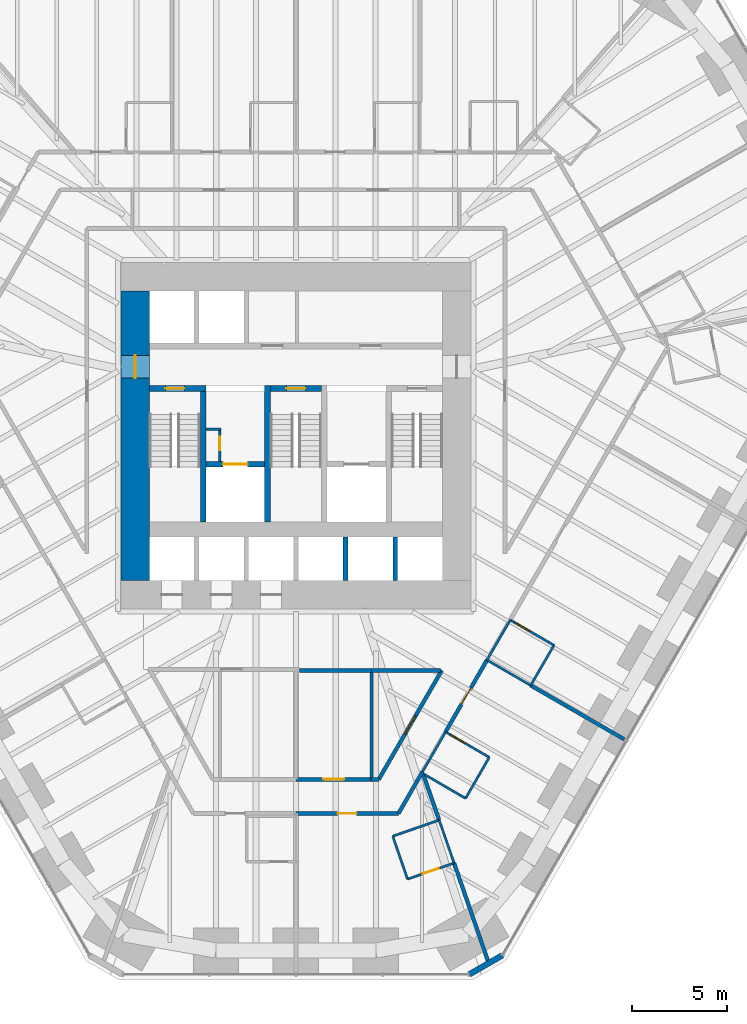
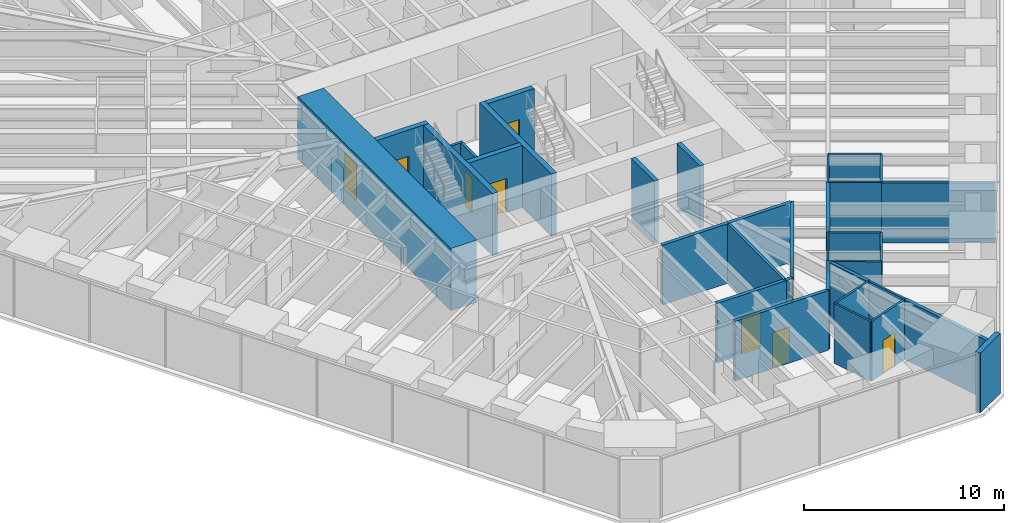
# One storey, part 12 of 17: 35 walls, 12 doors, 12 openings.
"""IFC4 building model written with IfcOpenShell, lengths in metres."""

from ifc_helpers import new_model, si_unit, direction, frame, frame_2d, origin, place, context, subcontext, project, spatial, rectangle, extrude, material, layer, layer_set, type_object, element, fill, save


model = new_model("IFC4")

# Units and contexts
model_context = context("Model", 3, precision=1e-05, world=origin(), true_north=direction((0.0, 1.0)))
body_context = subcontext(model_context, "Body", "Model", "MODEL_VIEW")
ifc_project = project(units=[si_unit("LENGTHUNIT", "METRE"), si_unit("AREAUNIT", "SQUARE_METRE"), si_unit("VOLUMEUNIT", "CUBIC_METRE"), si_unit("PLANEANGLEUNIT", "RADIAN"), si_unit("MASSUNIT", "GRAM", prefix="KILO")], contexts=[model_context])

# Site, building, storey
site_placement = place(None, origin())
site = spatial("IfcSite", under=ifc_project, at=site_placement, CompositionType="ELEMENT")
building_placement = place(site_placement, origin())
building = spatial("IfcBuilding", under=site, at=building_placement, Name="Sandreach Pilgrim Tower", CompositionType="ELEMENT")
storey_placement = place(building_placement, frame((0.0, 0.0, 45.800048828125)))
storey = spatial("IfcBuildingStorey", under=building, at=storey_placement, Name="L10", CompositionType="ELEMENT", Elevation=45.800048828125)

# Walls
ifc_material_1 = material(Name="Gypsum board on steel studs", Category="steel")
ifc_layer_1 = layer(ifc_material_1, 0.14990234375)
ifc_layer_set_1 = layer_set([ifc_layer_1], Name="Back of house wall 150")
wall_type_1 = type_object("IfcWallType", Name="Back of house wall 150", PredefinedType="PARTITIONING", material=ifc_layer_set_1)
wall_1_placement = place(storey_placement, frame((4.0, -13.949951171875, 0.0), z_axis=(0.0, 0.0, 1.0), x_axis=(0.0, -1.0, 0.0)))
element("IfcWall", 1, at=wall_1_placement, inside=storey, type_object=wall_type_1, Name="Back of house wall L10-073", PredefinedType="PARTITIONING", context=body_context, shape_type="SweptSolid", body=[
    extrude(rectangle(XDim=5.760009765625, YDim=0.14990234375, at=frame_2d((2.8798828125, 0.0))), origin(), (0.0, 0.0, 1.0), 3.639892578125),
])
ifc_material_2 = material(Name="Moisture-resistant gypsum board on steel studs", Category="steel")
ifc_layer_2 = layer(ifc_material_2, 0.1201171875)
ifc_layer_set_2 = layer_set([ifc_layer_2], Name="Bathroom partition 120")
wall_type_2 = type_object("IfcWallType", Name="Bathroom partition 120", PredefinedType="PARTITIONING", material=ifc_layer_set_2)
wall_2_placement = place(storey_placement, frame((5.1201171875, -22.7099609375, 0.0), z_axis=(0.0, 0.0, 1.0), x_axis=(0.324880771143, -0.945754981241, 0.0)))
element("IfcWall", 2, at=wall_2_placement, inside=storey, type_object=wall_type_2, Name="Bathroom partition L10-078", PredefinedType="PARTITIONING", context=body_context, shape_type="SweptSolid", body=[
    extrude(rectangle(XDim=2.400146484375, YDim=0.1201171875, at=frame_2d((1.2001953125, 0.0))), origin(), (0.0, 0.0, 1.0), 3.639892578125),
])

# Wall, opening, door
wall_3_placement = place(storey_placement, frame((5.89990234375, -24.97998046875, 0.0), z_axis=(0.0, 0.0, 1.0), x_axis=(0.945165466094, 0.326591857987, 0.0)))
wall_3 = element("IfcWall", 3, at=wall_3_placement, inside=storey, type_object=wall_type_2, Name="Bathroom partition L10-080", PredefinedType="PARTITIONING", context=body_context, shape_type="SweptSolid", body=[
    extrude(rectangle(XDim=2.60302734375, YDim=0.1201171875, at=frame_2d((1.301513671875, 0.0))), origin(), (0.0, 0.0, 1.0), 3.639892578125),
])
opening_1_placement = place(wall_3_placement, frame((0.85009765625, 0.0, 0.0)))
opening_1 = element("IfcOpeningElement", 4, at=opening_1_placement, cuts=wall_3, Name="Opening D09-10B", PredefinedType="OPENING", context=body_context, shape_type="SweptSolid", body=[
    extrude(rectangle(XDim=0.89990234375, YDim=2.030029296875, at=frame_2d((0.449951171875, 1.01513671875))), frame((0.0, 0.06005859375, 0.0), z_axis=(0.0, -1.0, 0.0), x_axis=(1.0, 0.0, 0.0)), (0.0, 0.0, 1.0), 0.1201171875),
])
ifc_material_3 = material(Name="Timber door, steel frame", Category="steel")
door_type_1 = type_object("IfcDoorType", Name="Bathroom door", OperationType="SINGLE_SWING_LEFT", PredefinedType="DOOR", material=ifc_material_3)
door_1_placement = place(opening_1_placement, origin())
door_1 = element("IfcDoor", 5, at=door_1_placement, inside=storey, type_object=door_type_1, Name="Door 1010B", OperationType="SINGLE_SWING_LEFT", OverallHeight=2.030029296875, OverallWidth=0.89990234375, PredefinedType="DOOR", context=body_context, shape_type="SweptSolid", body=[
    extrude(rectangle(XDim=0.89990234375, YDim=2.030029296875, at=frame_2d((0.449951171875, 1.01513671875))), frame((0.0, 0.02490234375, 0.0), z_axis=(0.0, -1.0, 0.0), x_axis=(1.0, 0.0, 0.0)), (0.0, 0.0, 1.0), 0.050048828125),
])
fill(opening_1, door_1)

# Walls
wall_4_placement = place(storey_placement, frame((6.68994140625, -19.31005859375, 0.0), z_axis=(0.0, 0.0, 1.0), x_axis=(0.500522890398, 0.865723302324, 0.0)))
element("IfcWall", 6, at=wall_4_placement, inside=storey, type_object=wall_type_2, Name="Bathroom partition L10-085", PredefinedType="PARTITIONING", context=body_context, shape_type="SweptSolid", body=[
    extrude(rectangle(XDim=2.4375, YDim=0.1201171875, at=frame_2d((1.21875, 0.0))), origin(), (0.0, 0.0, 1.0), 3.639892578125),
])
wall_5_placement = place(storey_placement, frame((6.807861328125, -19.455078125, 0.0), z_axis=(0.0, 0.0, 1.0), x_axis=(0.864881956308, -0.501975299844, 0.0)))
element("IfcWall", 7, at=wall_5_placement, inside=storey, type_object=wall_type_2, Name="Bathroom partition L10-086", PredefinedType="PARTITIONING", context=body_context, shape_type="SweptSolid", body=[
    extrude(rectangle(XDim=2.5, YDim=0.1201171875, at=frame_2d((1.25, 0.0))), origin(), (0.0, 0.0, 1.0), 3.639892578125),
])
wall_6_placement = place(storey_placement, frame((7.570068359375, -21.860107421875, 0.0), z_axis=(0.0, 0.0, 1.0), x_axis=(-0.944782191137, -0.327698964463, 0.0)))
element("IfcWall", 8, at=wall_6_placement, inside=storey, type_object=wall_type_2, Name="Bathroom partition L10-087", PredefinedType="PARTITIONING", context=body_context, shape_type="SweptSolid", body=[
    extrude(rectangle(XDim=2.593505859375, YDim=0.1201171875, at=frame_2d((1.296875, 0.0))), origin(), (0.0, 0.0, 1.0), 3.639892578125),
])
wall_7_placement = place(storey_placement, frame((7.570068359375, -21.860107421875, 0.0), z_axis=(0.0, 0.0, 1.0), x_axis=(0.328725498061, -0.944425511581, 0.0)))
element("IfcWall", 9, at=wall_7_placement, inside=storey, type_object=wall_type_2, Name="Bathroom partition L10-089", PredefinedType="PARTITIONING", context=body_context, shape_type="SweptSolid", body=[
    extrude(rectangle(XDim=2.4033203125, YDim=0.1201171875, at=frame_2d((1.20166015625, 0.0))), origin(), (0.0, 0.0, 1.0), 3.639892578125),
])
wall_8_placement = place(storey_placement, frame((8.969970703125, -20.7099609375, 0.0), z_axis=(0.0, 0.0, 1.0), x_axis=(0.499159685399, 0.866510016372, 0.0)))
element("IfcWall", 10, at=wall_8_placement, inside=storey, type_object=wall_type_2, Name="Bathroom partition L10-096", PredefinedType="PARTITIONING", context=body_context, shape_type="SweptSolid", body=[
    extrude(rectangle(XDim=2.504150390625, YDim=0.1201171875, at=frame_2d((1.251953125, 0.0))), origin(), (0.0, 0.0, 1.0), 3.639892578125),
])
wall_9_placement = place(storey_placement, frame((10.10009765625, -13.39990234375, 0.0), z_axis=(0.0, 0.0, 1.0), x_axis=(0.501856726365, 0.86495076519, 0.0)))
element("IfcWall", 11, at=wall_9_placement, inside=storey, type_object=wall_type_2, Name="Bathroom partition L10-099", PredefinedType="PARTITIONING", context=body_context, shape_type="SweptSolid", body=[
    extrude(rectangle(XDim=2.450927734375, YDim=0.1201171875, at=frame_2d((1.2255859375, 0.0))), origin(), (0.0, 0.0, 1.0), 3.639892578125),
])
wall_10_placement = place(storey_placement, frame((10.10009765625, -13.39990234375, 0.0), z_axis=(0.0, 0.0, 1.0), x_axis=(0.864966903181, -0.501828911485, 0.0)))
element("IfcWall", 12, at=wall_10_placement, inside=storey, type_object=wall_type_2, Name="Bathroom partition L10-100", PredefinedType="PARTITIONING", context=body_context, shape_type="SweptSolid", body=[
    extrude(rectangle(XDim=2.67041015625, YDim=0.1201171875, at=frame_2d((1.335205078125, 0.0))), origin(), (0.0, 0.0, 1.0), 3.639892578125),
])

# Wall, opening, door
wall_11_placement = place(storey_placement, frame((10.219970703125, -18.5400390625, 0.0), z_axis=(0.0, 0.0, 1.0), x_axis=(-0.86498992408, 0.501789229896, 0.0)))
wall_11 = element("IfcWall", 13, at=wall_11_placement, inside=storey, type_object=wall_type_2, Name="Bathroom partition L10-101", PredefinedType="PARTITIONING", context=body_context, shape_type="SweptSolid", body=[
    extrude(rectangle(XDim=2.670654296875, YDim=0.1201171875, at=frame_2d((1.33544921875, 0.0))), origin(), (0.0, 0.0, 1.0), 3.639892578125),
])
opening_2_placement = place(wall_11_placement, frame((1.470458984375, 0.0, 0.0)))
opening_2 = element("IfcOpeningElement", 14, at=opening_2_placement, cuts=wall_11, Name="Opening D09-09B", PredefinedType="OPENING", context=body_context, shape_type="SweptSolid", body=[
    extrude(rectangle(XDim=0.89990234375, YDim=2.030029296875, at=frame_2d((0.449951171875, 1.01513671875))), frame((0.0, 0.06005859375, 0.0), z_axis=(0.0, -1.0, 0.0), x_axis=(1.0, 0.0, 0.0)), (0.0, 0.0, 1.0), 0.1201171875),
])
door_2_placement = place(opening_2_placement, origin())
door_2 = element("IfcDoor", 15, at=door_2_placement, inside=storey, type_object=door_type_1, Name="Door 1009B", OperationType="SINGLE_SWING_RIGHT", OverallHeight=2.030029296875, OverallWidth=0.89990234375, PredefinedType="DOOR", context=body_context, shape_type="SweptSolid", body=[
    extrude(rectangle(XDim=0.89990234375, YDim=2.030029296875, at=frame_2d((0.449951171875, 1.01513671875))), frame((0.0, 0.02490234375, 0.0), z_axis=(0.0, -1.0, 0.0), x_axis=(1.0, 0.0, 0.0)), (0.0, 0.0, 1.0), 0.050048828125),
])
fill(opening_2, door_2)

# Wall
wall_12_placement = place(storey_placement, frame((12.409912109375, -14.739990234375, 0.0), z_axis=(0.0, 0.0, 1.0), x_axis=(0.501813488763, 0.864975850817, 0.0)))
element("IfcWall", 16, at=wall_12_placement, inside=storey, type_object=wall_type_2, Name="Bathroom partition L10-109", PredefinedType="PARTITIONING", context=body_context, shape_type="SweptSolid", body=[
    extrude(rectangle(XDim=2.451171875, YDim=0.1201171875, at=frame_2d((1.2255859375, 0.0))), origin(), (0.0, 0.0, 1.0), 3.639892578125),
])

# Wall, opening, door
wall_13_placement = place(storey_placement, frame((13.639892578125, -12.6201171875, 0.0), z_axis=(0.0, 0.0, 1.0), x_axis=(-0.864966903181, 0.501828911485, 0.0)))
wall_13 = element("IfcWall", 17, at=wall_13_placement, inside=storey, type_object=wall_type_2, Name="Bathroom partition L10-114", PredefinedType="PARTITIONING", context=body_context, shape_type="SweptSolid", body=[
    extrude(rectangle(XDim=2.67041015625, YDim=0.1201171875, at=frame_2d((1.335205078125, 0.0))), origin(), (0.0, 0.0, 1.0), 3.639892578125),
])
opening_3_placement = place(wall_13_placement, frame((1.470458984375, 0.0, 0.0)))
opening_3 = element("IfcOpeningElement", 18, at=opening_3_placement, cuts=wall_13, Name="Opening D09-08B", PredefinedType="OPENING", context=body_context, shape_type="SweptSolid", body=[
    extrude(rectangle(XDim=0.89990234375, YDim=2.030029296875, at=frame_2d((0.449951171875, 1.01513671875))), frame((0.0, 0.06005859375, 0.0), z_axis=(0.0, -1.0, 0.0), x_axis=(1.0, 0.0, 0.0)), (0.0, 0.0, 1.0), 0.1201171875),
])
door_3_placement = place(opening_3_placement, origin())
door_3 = element("IfcDoor", 19, at=door_3_placement, inside=storey, type_object=door_type_1, Name="Door 1008B", OperationType="SINGLE_SWING_RIGHT", OverallHeight=2.030029296875, OverallWidth=0.89990234375, PredefinedType="DOOR", context=body_context, shape_type="SweptSolid", body=[
    extrude(rectangle(XDim=0.89990234375, YDim=2.030029296875, at=frame_2d((0.449951171875, 1.01513671875))), frame((0.0, 0.02490234375, 0.0), z_axis=(0.0, -1.0, 0.0), x_axis=(1.0, 0.0, 0.0)), (0.0, 0.0, 1.0), 0.050048828125),
])
fill(opening_3, door_3)

# Walls
ifc_material_4 = material(Name="Concrete 10000 psi", Category="concrete")
ifc_layer_3 = layer(ifc_material_4, 0.300048828125)
ifc_layer_set_3 = layer_set([ifc_layer_3], Name="Core inner wall 300")
wall_type_3 = type_object("IfcWallType", Name="Core inner wall 300", PredefinedType="SHEAR", material=ifc_layer_set_3)
for number, where, z_axis, x_axis, name in (
    (20, (-4.89990234375, -6.10009765625, 0.0), (0.0, 0.0, 1.0), (0.0, 1.0, 0.0), "Core wall I0 L10"),
    (21, (-1.5, -6.10009765625, 0.0), (0.0, 0.0, 1.0), (0.0, 1.0, 0.0), "Core wall I1 L10"),
):
    element("IfcWall", number, at=place(storey_placement, frame(where, z_axis=z_axis, x_axis=x_axis)), inside=storey, type_object=wall_type_3, Name=name, PredefinedType="SHEAR", context=body_context, shape_type="SweptSolid", body=[
        extrude(rectangle(XDim=7.2001953125, YDim=0.300048828125, at=frame_2d((3.60009765625, 0.0))), origin(), (0.0, 0.0, 1.0), 3.800048828125),
    ])

# Wall, opening, door
wall_14_placement = place(storey_placement, frame((-7.75, 0.949951171875, 0.0), z_axis=(0.0, 0.0, 1.0), x_axis=(1.0, 0.0, 0.0)))
wall_14 = element("IfcWall", 22, at=wall_14_placement, inside=storey, type_object=wall_type_3, Name="Core wall SN1 L10", PredefinedType="SHEAR", context=body_context, shape_type="SweptSolid", body=[
    extrude(rectangle(XDim=3.0, YDim=0.300048828125, at=frame_2d((1.5, 0.0))), origin(), (0.0, 0.0, 1.0), 3.800048828125),
])
opening_4_placement = place(wall_14_placement, frame((0.85009765625, 0.0, 0.0)))
opening_4 = element("IfcOpeningElement", 23, at=opening_4_placement, cuts=wall_14, Name="Opening D10S-ST1", PredefinedType="OPENING", context=body_context, shape_type="SweptSolid", body=[
    extrude(rectangle(XDim=1.0, YDim=2.199951171875, at=frame_2d((0.5, 1.10009765625))), frame((0.0, 0.14990234375, 0.0), z_axis=(0.0, -1.0, 0.0), x_axis=(1.0, 0.0, 0.0)), (0.0, 0.0, 1.0), 0.300048828125),
])
ifc_material_5 = material(Name="Steel door and frame", Category="steel")
door_type_2 = type_object("IfcDoorType", Name="Stair door", OperationType="SINGLE_SWING_LEFT", PredefinedType="DOOR", material=ifc_material_5)
door_4_placement = place(opening_4_placement, origin())
door_4 = element("IfcDoor", 24, at=door_4_placement, inside=storey, type_object=door_type_2, Name="Stair door ST1 L10", OperationType="SINGLE_SWING_LEFT", OverallHeight=2.199951171875, OverallWidth=1.0, PredefinedType="DOOR", context=body_context, shape_type="SweptSolid", body=[
    extrude(rectangle(XDim=1.0, YDim=2.199951171875, at=frame_2d((0.5, 1.10009765625))), frame((0.0, 0.02490234375, 0.0), z_axis=(0.0, -1.0, 0.0), x_axis=(1.0, 0.0, 0.0)), (0.0, 0.0, 1.0), 0.050048828125),
])
fill(opening_4, door_4)

wall_15_placement = place(storey_placement, frame((-1.35009765625, 0.949951171875, 0.0), z_axis=(0.0, 0.0, 1.0), x_axis=(1.0, 0.0, 0.0)))
wall_15 = element("IfcWall", 25, at=wall_15_placement, inside=storey, type_object=wall_type_3, Name="Core wall SN3 L10", PredefinedType="SHEAR", context=body_context, shape_type="SweptSolid", body=[
    extrude(rectangle(XDim=2.7001953125, YDim=0.300048828125, at=frame_2d((1.35009765625, 0.0))), origin(), (0.0, 0.0, 1.0), 3.800048828125),
])
opening_5_placement = place(wall_15_placement, frame((0.85009765625, 0.0, 0.0)))
opening_5 = element("IfcOpeningElement", 26, at=opening_5_placement, cuts=wall_15, Name="Opening D10S-ST3", PredefinedType="OPENING", context=body_context, shape_type="SweptSolid", body=[
    extrude(rectangle(XDim=1.0, YDim=2.199951171875, at=frame_2d((0.5, 1.10009765625))), frame((0.0, 0.14990234375, 0.0), z_axis=(0.0, -1.0, 0.0), x_axis=(1.0, 0.0, 0.0)), (0.0, 0.0, 1.0), 0.300048828125),
])
door_5_placement = place(opening_5_placement, origin())
door_5 = element("IfcDoor", 27, at=door_5_placement, inside=storey, type_object=door_type_2, Name="Stair door ST3 L10", OperationType="SINGLE_SWING_LEFT", OverallHeight=2.199951171875, OverallWidth=1.0, PredefinedType="DOOR", context=body_context, shape_type="SweptSolid", body=[
    extrude(rectangle(XDim=1.0, YDim=2.199951171875, at=frame_2d((0.5, 1.10009765625))), frame((0.0, 0.02490234375, 0.0), z_axis=(0.0, -1.0, 0.0), x_axis=(1.0, 0.0, 0.0)), (0.0, 0.0, 1.0), 0.050048828125),
])
fill(opening_5, door_5)

wall_16_placement = place(storey_placement, frame((-4.75, -3.050048828125, 0.0), z_axis=(0.0, 0.0, 1.0), x_axis=(1.0, 0.0, 0.0)))
wall_16 = element("IfcWall", 28, at=wall_16_placement, inside=storey, type_object=wall_type_3, Name="Core wall FL1 L10", PredefinedType="SHEAR", context=body_context, shape_type="SweptSolid", body=[
    extrude(rectangle(XDim=3.10009765625, YDim=0.300048828125, at=frame_2d((1.550048828125, 0.0))), origin(), (0.0, 0.0, 1.0), 3.800048828125),
])
opening_6_placement = place(wall_16_placement, frame((0.89990234375, 0.0, 0.0)))
opening_6 = element("IfcOpeningElement", 29, at=opening_6_placement, cuts=wall_16, Name="Opening LD13", PredefinedType="OPENING", context=body_context, shape_type="SweptSolid", body=[
    extrude(rectangle(XDim=1.300048828125, YDim=2.10009765625, at=frame_2d((0.64990234375, 1.050048828125))), frame((0.0, 0.14990234375, 0.0), z_axis=(0.0, -1.0, 0.0), x_axis=(1.0, 0.0, 0.0)), (0.0, 0.0, 1.0), 0.300048828125),
])
ifc_material_6 = material(Name="Steel door and frame", Category="steel")
door_type_3 = type_object("IfcDoorType", Name="Fire service lift landing door", OperationType="DOUBLE_DOOR_SLIDING", PredefinedType="DOOR", material=ifc_material_6)
door_6_placement = place(opening_6_placement, origin())
door_6 = element("IfcDoor", 30, at=door_6_placement, inside=storey, type_object=door_type_3, Name="Lift landing door FS1 L10", OperationType="DOUBLE_DOOR_SLIDING", OverallHeight=2.10009765625, OverallWidth=1.300048828125, PredefinedType="DOOR", context=body_context, shape_type="SweptSolid", body=[
    extrude(rectangle(XDim=1.300048828125, YDim=2.10009765625, at=frame_2d((0.64990234375, 1.050048828125))), frame((0.0, 0.02490234375, 0.0), z_axis=(0.0, -1.0, 0.0), x_axis=(1.0, 0.0, 0.0)), (0.0, 0.0, 1.0), 0.050048828125),
])
fill(opening_6, door_6)

ifc_material_7 = material(Name="Concrete 10000 psi", Category="concrete")
ifc_layer_4 = layer(ifc_material_7, 1.5)
ifc_layer_set_4 = layer_set([ifc_layer_4], Name="Core wall 1500")
wall_type_4 = type_object("IfcWallType", Name="Core wall 1500", PredefinedType="SHEAR", material=ifc_layer_set_4)
wall_17_placement = place(storey_placement, frame((-8.5, -9.199951171875, 0.0), z_axis=(0.0, 0.0, 1.0), x_axis=(0.0, 1.0, 0.0)))
wall_17 = element("IfcWall", 31, at=wall_17_placement, inside=storey, type_object=wall_type_4, Name="Core wall W L10", PredefinedType="SHEAR", context=body_context, shape_type="SweptSolid", body=[
    extrude(rectangle(XDim=15.300048828125, YDim=1.5, at=frame_2d((7.64990234375, 0.0))), origin(), (0.0, 0.0, 1.0), 3.800048828125),
])
opening_7_placement = place(wall_17_placement, frame((10.699951171875, 0.0, 0.0)))
opening_7 = element("IfcOpeningElement", 32, at=opening_7_placement, cuts=wall_17, Name="Opening D12F-W", PredefinedType="OPENING", context=body_context, shape_type="SweptSolid", body=[
    extrude(rectangle(XDim=1.199951171875, YDim=2.199951171875, at=frame_2d((0.60009765625, 1.10009765625))), frame((0.0, 0.75, 0.0), z_axis=(0.0, -1.0, 0.0), x_axis=(1.0, 0.0, 0.0)), (0.0, 0.0, 1.0), 1.5),
])
ifc_material_8 = material(Name="Steel door and frame", Category="steel")
door_type_4 = type_object("IfcDoorType", Name="Fire lobby door", OperationType="SINGLE_SWING_LEFT", PredefinedType="DOOR", material=ifc_material_8)
door_7_placement = place(opening_7_placement, origin())
door_7 = element("IfcDoor", 33, at=door_7_placement, inside=storey, type_object=door_type_4, Name="Fire service lobby door W L10", OperationType="SINGLE_SWING_RIGHT", OverallHeight=2.199951171875, OverallWidth=1.199951171875, PredefinedType="DOOR", context=body_context, shape_type="SweptSolid", body=[
    extrude(rectangle(XDim=1.199951171875, YDim=2.199951171875, at=frame_2d((0.60009765625, 1.10009765625))), frame((0.0, 0.02490234375, 0.0), z_axis=(0.0, -1.0, 0.0), x_axis=(1.0, 0.0, 0.0)), (0.0, 0.0, 1.0), 0.050048828125),
])
fill(opening_7, door_7)

ifc_material_9 = material(Name="Gypsum board on steel studs, two layers each side", Category="steel")
ifc_layer_5 = layer(ifc_material_9, 0.199951171875)
ifc_layer_set_5 = layer_set([ifc_layer_5], Name="Corridor wall 200")
wall_type_5 = type_object("IfcWallType", Name="Corridor wall 200", PredefinedType="PARTITIONING", material=ifc_layer_set_5)
wall_18_placement = place(storey_placement, frame((0.0, -21.510009765625, 0.0), z_axis=(0.0, 0.0, 1.0), x_axis=(1.0, 0.0, 0.0)))
wall_18 = element("IfcWall", 34, at=wall_18_placement, inside=storey, type_object=wall_type_5, Name="Corridor wall L10-060", PredefinedType="PARTITIONING", context=body_context, shape_type="SweptSolid", body=[
    extrude(rectangle(XDim=5.419921875, YDim=0.199951171875, at=frame_2d((2.7099609375, 0.0))), origin(), (0.0, 0.0, 1.0), 3.639892578125),
])
opening_8_placement = place(wall_18_placement, frame((2.2099609375, 0.0, 0.0)))
opening_8 = element("IfcOpeningElement", 35, at=opening_8_placement, cuts=wall_18, Name="Opening D10-10", PredefinedType="OPENING", context=body_context, shape_type="SweptSolid", body=[
    extrude(rectangle(XDim=1.0, YDim=2.1298828125, at=frame_2d((0.5, 1.06494140625))), frame((0.0, 0.10009765625, 0.0), z_axis=(0.0, -1.0, 0.0), x_axis=(1.0, 0.0, 0.0)), (0.0, 0.0, 1.0), 0.199951171875),
])
ifc_material_10 = material(Name="Steel door and frame", Category="steel")
door_type_5 = type_object("IfcDoorType", Name="Guest room entry door", OperationType="SINGLE_SWING_LEFT", PredefinedType="DOOR", material=ifc_material_10)
door_8_placement = place(opening_8_placement, origin())
door_8 = element("IfcDoor", 36, at=door_8_placement, inside=storey, type_object=door_type_5, Name="Door 1010", OperationType="SINGLE_SWING_LEFT", OverallHeight=2.1298828125, OverallWidth=1.0, PredefinedType="DOOR", context=body_context, shape_type="SweptSolid", body=[
    extrude(rectangle(XDim=1.0, YDim=2.1298828125, at=frame_2d((0.5, 1.06494140625))), frame((0.0, 0.02490234375, 0.0), z_axis=(0.0, -1.0, 0.0), x_axis=(1.0, 0.0, 0.0)), (0.0, 0.0, 1.0), 0.050048828125),
])
fill(opening_8, door_8)

# Wall
wall_19_placement = place(storey_placement, frame((0.179931640625, -13.949951171875, 0.0), z_axis=(0.0, 0.0, 1.0), x_axis=(1.0, 0.0, 0.0)))
element("IfcWall", 37, at=wall_19_placement, inside=storey, type_object=wall_type_5, Name="Corridor wall L10-070", PredefinedType="PARTITIONING", context=body_context, shape_type="SweptSolid", body=[
    extrude(rectangle(XDim=3.820068359375, YDim=0.199951171875, at=frame_2d((1.91015625, 0.0))), origin(), (0.0, 0.0, 1.0), 3.639892578125),
])

# Wall, opening, door
wall_20_placement = place(storey_placement, frame((4.0, -19.7099609375, 0.0), z_axis=(0.0, 0.0, 1.0), x_axis=(-1.0, 0.0, 0.0)))
wall_20 = element("IfcWall", 38, at=wall_20_placement, inside=storey, type_object=wall_type_5, Name="Corridor wall L10-072", PredefinedType="PARTITIONING", context=body_context, shape_type="SweptSolid", body=[
    extrude(rectangle(XDim=4.0, YDim=0.199951171875, at=frame_2d((2.0, 0.0))), origin(), (0.0, 0.0, 1.0), 3.639892578125),
])
opening_9_placement = place(wall_20_placement, frame((1.449951171875, 0.0, 0.0)))
opening_9 = element("IfcOpeningElement", 39, at=opening_9_placement, cuts=wall_20, Name="Opening D11H-S3", PredefinedType="OPENING", context=body_context, shape_type="SweptSolid", body=[
    extrude(rectangle(XDim=1.10009765625, YDim=2.199951171875, at=frame_2d((0.550048828125, 1.10009765625))), frame((0.0, 0.10009765625, 0.0), z_axis=(0.0, -1.0, 0.0), x_axis=(1.0, 0.0, 0.0)), (0.0, 0.0, 1.0), 0.199951171875),
])
ifc_material_11 = material(Name="Steel door and frame", Category="steel")
door_type_6 = type_object("IfcDoorType", Name="Back of house door", OperationType="SINGLE_SWING_LEFT", PredefinedType="DOOR", material=ifc_material_11)
door_9_placement = place(opening_9_placement, origin())
door_9 = element("IfcDoor", 40, at=door_9_placement, inside=storey, type_object=door_type_6, Name="Door 10S3", OperationType="SINGLE_SWING_LEFT", OverallHeight=2.199951171875, OverallWidth=1.10009765625, PredefinedType="DOOR", context=body_context, shape_type="SweptSolid", body=[
    extrude(rectangle(XDim=1.10009765625, YDim=2.199951171875, at=frame_2d((0.550048828125, 1.10009765625))), frame((0.0, 0.02490234375, 0.0), z_axis=(0.0, -1.0, 0.0), x_axis=(1.0, 0.0, 0.0)), (0.0, 0.0, 1.0), 0.050048828125),
])
fill(opening_9, door_9)

# Walls
wall_21_placement = place(storey_placement, frame((4.0, -13.949951171875, 0.0), z_axis=(0.0, 0.0, 1.0), x_axis=(1.0, 0.0, 0.0)))
element("IfcWall", 41, at=wall_21_placement, inside=storey, type_object=wall_type_5, Name="Corridor wall L10-074", PredefinedType="PARTITIONING", context=body_context, shape_type="SweptSolid", body=[
    extrude(rectangle(XDim=3.635009765625, YDim=0.199951171875, at=frame_2d((1.8173828125, 0.0))), origin(), (0.0, 0.0, 1.0), 3.639892578125),
])
wall_22_placement = place(storey_placement, frame((4.3798828125, -19.7099609375, 0.0), z_axis=(0.0, 0.0, 1.0), x_axis=(-1.0, 0.0, 0.0)))
element("IfcWall", 42, at=wall_22_placement, inside=storey, type_object=wall_type_5, Name="Corridor wall L10-077", PredefinedType="PARTITIONING", context=body_context, shape_type="SweptSolid", body=[
    extrude(rectangle(XDim=0.3798828125, YDim=0.199951171875, at=frame_2d((0.18994140625, 0.0))), origin(), (0.0, 0.0, 1.0), 3.639892578125),
])
wall_23_placement = place(storey_placement, frame((5.419921875, -21.510009765625, 0.0), z_axis=(0.0, 0.0, 1.0), x_axis=(0.499963722229, 0.866046347752, 0.0)))
element("IfcWall", 43, at=wall_23_placement, inside=storey, type_object=wall_type_5, Name="Corridor wall L10-079", PredefinedType="PARTITIONING", context=body_context, shape_type="SweptSolid", body=[
    extrude(rectangle(XDim=2.540283203125, YDim=0.199951171875, at=frame_2d((1.27001953125, 0.0))), origin(), (0.0, 0.0, 1.0), 3.639892578125),
])

# Wall, opening, door
wall_24_placement = place(storey_placement, frame((7.7099609375, -13.949951171875, 0.0), z_axis=(0.0, 0.0, 1.0), x_axis=(-0.500511113963, -0.865730110831, 0.0)))
wall_24 = element("IfcWall", 44, at=wall_24_placement, inside=storey, type_object=wall_type_5, Name="Corridor wall L10-090", PredefinedType="PARTITIONING", context=body_context, shape_type="SweptSolid", body=[
    extrude(rectangle(XDim=6.6533203125, YDim=0.199951171875, at=frame_2d((3.32666015625, 0.0))), origin(), (0.0, 0.0, 1.0), 3.639892578125),
])
opening_10_placement = place(wall_24_placement, frame((2.776611328125, 0.0, 0.0)))
opening_10 = element("IfcOpeningElement", 45, at=opening_10_placement, cuts=wall_24, Name="Opening D11H-S4", PredefinedType="OPENING", context=body_context, shape_type="SweptSolid", body=[
    extrude(rectangle(XDim=1.10009765625, YDim=2.199951171875, at=frame_2d((0.550048828125, 1.10009765625))), frame((0.0, 0.10009765625, 0.0), z_axis=(0.0, -1.0, 0.0), x_axis=(1.0, 0.0, 0.0)), (0.0, 0.0, 1.0), 0.199951171875),
])
door_10_placement = place(opening_10_placement, origin())
door_10 = element("IfcDoor", 46, at=door_10_placement, inside=storey, type_object=door_type_6, Name="Door 10S4", OperationType="SINGLE_SWING_LEFT", OverallHeight=2.199951171875, OverallWidth=1.10009765625, PredefinedType="DOOR", context=body_context, shape_type="SweptSolid", body=[
    extrude(rectangle(XDim=1.10009765625, YDim=2.199951171875, at=frame_2d((0.550048828125, 1.10009765625))), frame((0.0, 0.02490234375, 0.0), z_axis=(0.0, -1.0, 0.0), x_axis=(1.0, 0.0, 0.0)), (0.0, 0.0, 1.0), 0.050048828125),
])
fill(opening_10, door_10)

wall_25_placement = place(storey_placement, frame((7.9091796875, -17.199462890625, 0.0), z_axis=(0.0, 0.0, 1.0), x_axis=(0.499528080516, 0.866297695239, 0.0)))
wall_25 = element("IfcWall", 47, at=wall_25_placement, inside=storey, type_object=wall_type_5, Name="Corridor wall L10-091", PredefinedType="PARTITIONING", context=body_context, shape_type="SweptSolid", body=[
    extrude(rectangle(XDim=4.385986328125, YDim=0.199951171875, at=frame_2d((2.19287109375, 0.0))), origin(), (0.0, 0.0, 1.0), 3.639892578125),
])
opening_11_placement = place(wall_25_placement, frame((1.69287109375, 0.0, 0.0)))
opening_11 = element("IfcOpeningElement", 48, at=opening_11_placement, cuts=wall_25, Name="Opening D10-09", PredefinedType="OPENING", context=body_context, shape_type="SweptSolid", body=[
    extrude(rectangle(XDim=1.0, YDim=2.1298828125, at=frame_2d((0.5, 1.06494140625))), frame((0.0, 0.10009765625, 0.0), z_axis=(0.0, -1.0, 0.0), x_axis=(1.0, 0.0, 0.0)), (0.0, 0.0, 1.0), 0.199951171875),
])
door_11_placement = place(opening_11_placement, origin())
door_11 = element("IfcDoor", 49, at=door_11_placement, inside=storey, type_object=door_type_5, Name="Door 1009", OperationType="SINGLE_SWING_LEFT", OverallHeight=2.1298828125, OverallWidth=1.0, PredefinedType="DOOR", context=body_context, shape_type="SweptSolid", body=[
    extrude(rectangle(XDim=1.0, YDim=2.1298828125, at=frame_2d((0.5, 1.06494140625))), frame((0.0, 0.02490234375, 0.0), z_axis=(0.0, -1.0, 0.0), x_axis=(1.0, 0.0, 0.0)), (0.0, 0.0, 1.0), 0.050048828125),
])
fill(opening_11, door_11)

# Walls
ifc_material_12 = material(Name="Double steel stud acoustic wall, gypsum board", Category="steel")
ifc_layer_6 = layer(ifc_material_12, 0.199951171875)
ifc_layer_set_6 = layer_set([ifc_layer_6], Name="Party wall 200")
wall_type_6 = type_object("IfcWallType", Name="Party wall 200", PredefinedType="PARTITIONING", material=ifc_layer_set_6)
wall_26_placement = place(storey_placement, frame((7.570068359375, -21.860107421875, 0.0), z_axis=(0.0, 0.0, 1.0), x_axis=(-0.327782990589, 0.944753042377, 0.0)))
element("IfcWall", 50, at=wall_26_placement, inside=storey, type_object=wall_type_6, Name="Party wall L10-088", PredefinedType="PARTITIONING", context=body_context, shape_type="SweptSolid", body=[
    extrude(rectangle(XDim=2.593505859375, YDim=0.199951171875, at=frame_2d((1.296875, 0.0))), origin(), (0.0, 0.0, 1.0), 3.639892578125),
])
wall_27_placement = place(storey_placement, frame((8.360107421875, -24.1298828125, 0.0), z_axis=(0.0, 0.0, 1.0), x_axis=(0.327332811485, -0.944909112309, 0.0)))
element("IfcWall", 51, at=wall_27_placement, inside=storey, type_object=wall_type_6, Name="Party wall L10-092", PredefinedType="PARTITIONING", context=body_context, shape_type="SweptSolid", body=[
    extrude(rectangle(XDim=5.621337890625, YDim=0.199951171875, at=frame_2d((2.810546875, 0.0))), origin(), (0.0, 0.0, 1.0), 3.639892578125),
])
wall_28_placement = place(storey_placement, frame((17.35595703125, -17.590087890625, 0.0), z_axis=(0.0, 0.0, 1.0), x_axis=(-0.866442508333, 0.499276856818, 0.0)))
element("IfcWall", 52, at=wall_28_placement, inside=storey, type_object=wall_type_6, Name="Party wall L10-122", PredefinedType="PARTITIONING", context=body_context, shape_type="SweptSolid", body=[
    extrude(rectangle(XDim=5.70849609375, YDim=0.199951171875, at=frame_2d((2.854248046875, 0.0))), origin(), (0.0, 0.0, 1.0), 3.639892578125),
])

# Wall, opening, door
ifc_material_13 = material(Name="Gypsum shaft wall on steel studs, shaft liner board", Category="steel")
ifc_layer_7 = layer(ifc_material_13, 0.14990234375)
ifc_layer_set_7 = layer_set([ifc_layer_7], Name="Riser shaft wall 150")
wall_type_7 = type_object("IfcWallType", Name="Riser shaft wall 150", PredefinedType="PARTITIONING", material=ifc_layer_set_7)
wall_29_placement = place(storey_placement, frame((-4.02490234375, -2.89990234375, 0.0), z_axis=(0.0, 0.0, 1.0), x_axis=(0.0, 1.0, 0.0)))
wall_29 = element("IfcWall", 53, at=wall_29_placement, inside=storey, type_object=wall_type_7, Name="Riser partition L10 side", PredefinedType="PARTITIONING", context=body_context, shape_type="SweptSolid", body=[
    extrude(rectangle(XDim=1.77490234375, YDim=0.14990234375, at=frame_2d((0.887451171875, 0.0))), origin(), (0.0, 0.0, 1.0), 3.639892578125),
])
opening_12_placement = place(wall_29_placement, frame((0.60009765625, 0.0, 0.0)))
opening_12 = element("IfcOpeningElement", 54, at=opening_12_placement, cuts=wall_29, Name="Opening D07R", PredefinedType="OPENING", context=body_context, shape_type="SweptSolid", body=[
    extrude(rectangle(XDim=0.699951171875, YDim=2.10009765625, at=frame_2d((0.35009765625, 1.050048828125))), frame((0.0, 0.074951171875, 0.0), z_axis=(0.0, -1.0, 0.0), x_axis=(1.0, 0.0, 0.0)), (0.0, 0.0, 1.0), 0.14990234375),
])
ifc_material_14 = material(Name="Steel door and frame, smoke seals", Category="steel")
door_type_7 = type_object("IfcDoorType", Name="Riser access door", OperationType="SINGLE_SWING_RIGHT", PredefinedType="DOOR", material=ifc_material_14)
door_12_placement = place(opening_12_placement, origin())
door_12 = element("IfcDoor", 55, at=door_12_placement, inside=storey, type_object=door_type_7, Name="Door riser 10ER", OperationType="SINGLE_SWING_RIGHT", OverallHeight=2.10009765625, OverallWidth=0.699951171875, PredefinedType="DOOR", context=body_context, shape_type="SweptSolid", body=[
    extrude(rectangle(XDim=0.699951171875, YDim=2.10009765625, at=frame_2d((0.35009765625, 1.050048828125))), frame((0.0, 0.02490234375, 0.0), z_axis=(0.0, -1.0, 0.0), x_axis=(1.0, 0.0, 0.0)), (0.0, 0.0, 1.0), 0.050048828125),
])
fill(opening_12, door_12)

# Walls
wall_30_placement = place(storey_placement, frame((-4.75, -1.199951171875, 0.0), z_axis=(0.0, 0.0, 1.0), x_axis=(1.0, 0.0, 0.0)))
element("IfcWall", 56, at=wall_30_placement, inside=storey, type_object=wall_type_7, Name="Riser partition L10 front", PredefinedType="PARTITIONING", context=body_context, shape_type="SweptSolid", body=[
    extrude(rectangle(XDim=0.800048828125, YDim=0.14990234375, at=frame_2d((0.39990234375, 0.0))), origin(), (0.0, 0.0, 1.0), 3.639892578125),
])
ifc_material_15 = material(Name="Gypsum shaft wall on steel studs, two layers of shaft liner board", Category="steel")
ifc_layer_8 = layer(ifc_material_15, 0.25)
ifc_layer_set_8 = layer_set([ifc_layer_8], Name="Shaft partition 250")
wall_type_8 = type_object("IfcWallType", Name="Shaft partition 250", PredefinedType="PARTITIONING", material=ifc_layer_set_8)
for number, where, z_axis, x_axis, name in (
    (57, (2.625, -9.199951171875, 0.0), (0.0, 0.0, 1.0), (0.0, 1.0, 0.0), "Shaft partition XS3 L10"),
    (58, (5.25, -9.199951171875, 0.0), (0.0, 0.0, 1.0), (0.0, 1.0, 0.0), "Shaft partition XS4 L10"),
):
    element("IfcWall", number, at=place(storey_placement, frame(where, z_axis=z_axis, x_axis=x_axis)), inside=storey, type_object=wall_type_8, Name=name, PredefinedType="PARTITIONING", context=body_context, shape_type="SweptSolid", body=[
        extrude(rectangle(XDim=2.300048828125, YDim=0.25, at=frame_2d((1.14990234375, 0.0))), origin(), (0.0, 0.0, 1.0), 3.800048828125),
    ])
ifc_material_16 = material(Name="Terracotta rainscreen on concrete", Category="masonry")
ifc_layer_9 = layer(ifc_material_16, 0.300048828125)
ifc_layer_set_9 = layer_set([ifc_layer_9], Name="Terracotta chamfer pier")
wall_type_9 = type_object("IfcWallType", Name="Terracotta chamfer pier", PredefinedType="SOLIDWALL", material=ifc_layer_set_9)
wall_31_placement = place(storey_placement, frame((10.904052734375, -29.010986328125, 0.0), z_axis=(0.0, 0.0, 1.0), x_axis=(-0.866010750942, -0.50002537861, 0.0)))
element("IfcWall", 59, at=wall_31_placement, inside=storey, type_object=wall_type_9, Name="Chamfer pier L10 SE", PredefinedType="SOLIDWALL", context=body_context, shape_type="SweptSolid", body=[
    extrude(rectangle(XDim=2.0, YDim=0.300048828125, at=frame_2d((1.0, 0.0))), origin(), (0.0, 0.0, 1.0), 3.639892578125),
])

save(model, "model.ifc")
